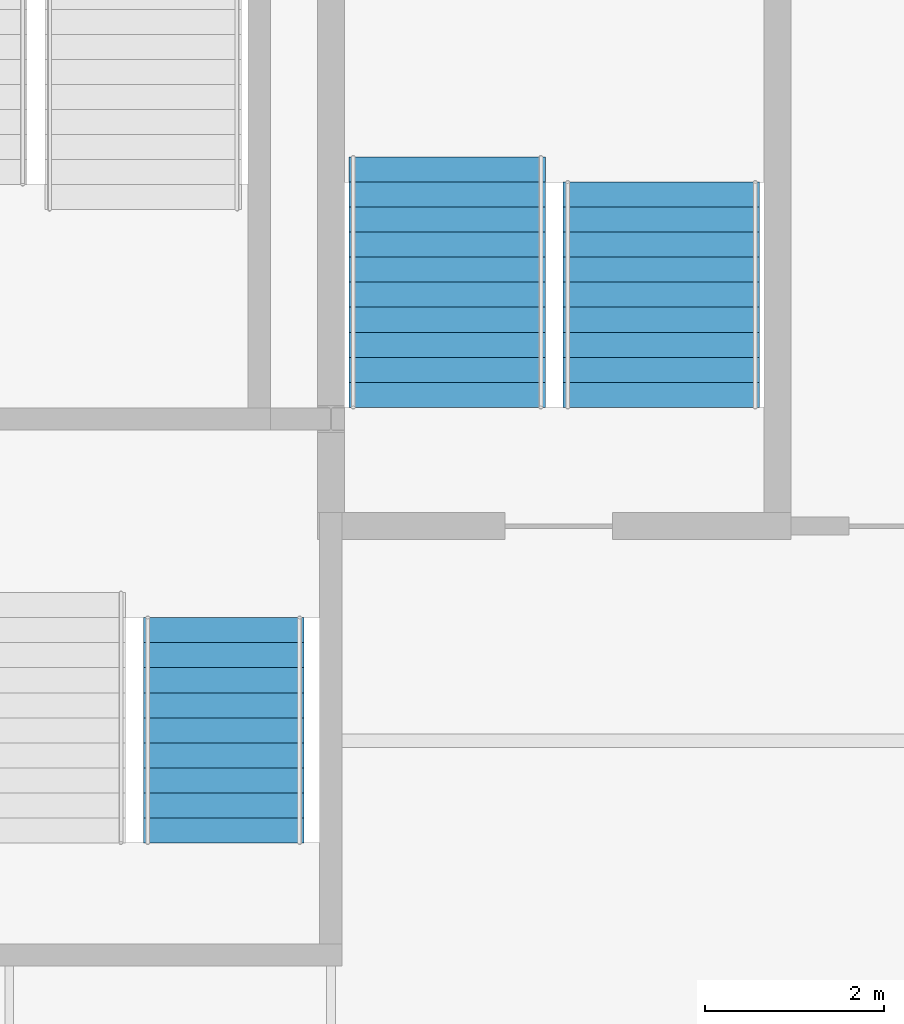
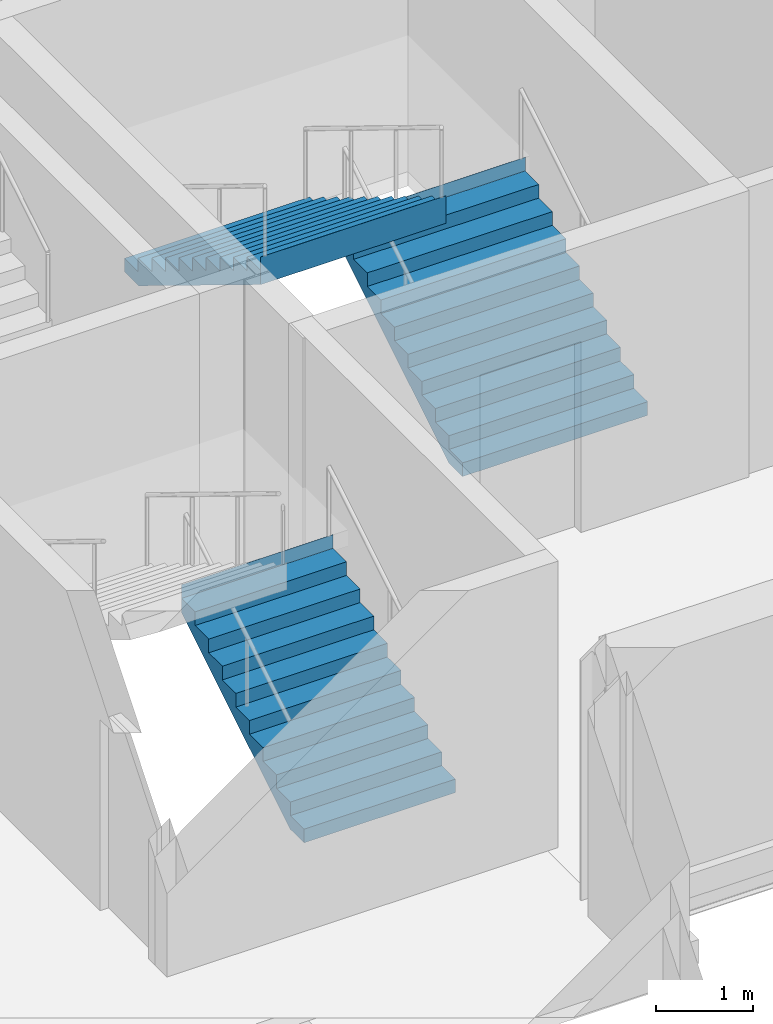
# One storey, part 85 of 124: 3 stair flights, 2 elements without a shape of their own.
"""IFC4 building model written with IfcOpenShell, lengths in metres."""

from ifc_helpers import new_model, si_unit, direction, frame, origin, place, context, subcontext, project, spatial, polyline, outline, extrude, material, type_object, element, aggregate, save


model = new_model("IFC4")

# Units and contexts
model_context = context("Model", 3, precision=1e-05, world=origin(), true_north=direction((0.0, 1.0)))
body_context = subcontext(model_context, "Body", "Model", "MODEL_VIEW")
ifc_project = project(units=[si_unit("LENGTHUNIT", "METRE"), si_unit("AREAUNIT", "SQUARE_METRE"), si_unit("VOLUMEUNIT", "CUBIC_METRE"), si_unit("PLANEANGLEUNIT", "RADIAN"), si_unit("MASSUNIT", "GRAM", prefix="KILO")], contexts=[model_context])

# Site, building, storey
site_placement = place(None, origin())
site = spatial("IfcSite", under=ifc_project, at=site_placement, CompositionType="ELEMENT")
building_placement = place(site_placement, origin())
building = spatial("IfcBuilding", under=site, at=building_placement, Name="Kupolbacken Congress Centre", CompositionType="ELEMENT")
storey_placement = place(building_placement, frame((0.0, 0.0, 10.800048828125)))
storey = spatial("IfcBuildingStorey", under=building, at=storey_placement, Name="L03", CompositionType="ELEMENT", Elevation=10.800048828125)

# Stair, stair flights
ifc_material_1 = material(Name="Concrete C30/37", Category="concrete")
stair_type_1 = type_object("IfcStairType", Name="ST13 stair 2200", PredefinedType="TWO_STRAIGHT_RUN_STAIR", material=ifc_material_1)
stair_1_placement = place(storey_placement, origin())
stair_1 = element("IfcStair", 1, at=stair_1_placement, inside=storey, type_object=stair_type_1, Name="C/stair/LS1/L03", PredefinedType="NOTDEFINED")
ifc_material_2 = material(Name="Concrete C30/37", Category="concrete")
stair_flight_type_1 = type_object("IfcStairFlightType", Name="FL13 stair flight 2200 x 10 risers", PredefinedType="STRAIGHT", material=ifc_material_2)
stair_flight_1_placement = place(storey_placement, frame((82.89990234375, 50.530029296875, 0.0), z_axis=(0.0, 0.0, 1.0), x_axis=(0.0, 1.0, 0.0)))
stair_flight_1 = element("IfcStairFlight", 2, at=stair_flight_1_placement, type_object=stair_flight_type_1, Name="LS1 flight 1", NumberOfRisers=10, NumberOfTreads=9, PredefinedType="STRAIGHT", RiserHeight=0.171428571, TreadLength=0.28, context=body_context, shape_type="SweptSolid", body=[
    extrude(outline(polyline([(0.0, 0.0), (0.0, 0.0009765625), (0.0, 0.002197265625), (0.0, 0.003173828125), (0.0, 0.004150390625), (0.0, 0.00537109375), (0.0, 0.00634765625), (0.0, 0.007568359375), (0.0, 0.008544921875), (0.0, 0.009521484375), (0.0, 0.0107421875), (0.0, 0.01171875), (0.0, 0.0126953125), (0.0, 0.013916015625), (0.0, 0.014892578125), (0.0, 0.015869140625), (0.0, 0.01708984375), (0.0, 0.01806640625), (0.0, 0.019287109375), (0.0, 0.020263671875), (0.0, 0.021240234375), (0.0, 0.0224609375), (0.0, 0.0234375), (0.0, 0.0244140625), (0.0, 0.025634765625), (0.0, 0.026611328125), (0.0, 0.027587890625), (0.0, 0.02880859375), (0.0, 0.02978515625), (0.0, 0.03076171875), (0.0, 0.031982421875), (0.0, 0.032958984375), (0.0, 0.0341796875), (0.0, 0.03515625), (0.0, 0.0361328125), (0.0, 0.037353515625), (0.0, 0.038330078125), (0.0, 0.039306640625), (0.0, 0.04052734375), (0.0, 0.04150390625), (0.0, 0.04248046875), (0.0, 0.043701171875), (0.0, 0.044677734375), (0.0, 0.0458984375), (0.0, 0.046875), (0.0, 0.0478515625), (0.0, 0.049072265625), (0.0, 0.050048828125), (0.0, 0.051025390625), (0.0, 0.05224609375), (0.0, 0.05322265625), (0.0, 0.05419921875), (0.0, 0.055419921875), (0.0, 0.056396484375), (0.0, 0.0576171875), (0.0, 0.05859375), (0.0, 0.0595703125), (0.0, 0.060791015625), (0.0, 0.061767578125), (0.0, 0.062744140625), (0.0, 0.06396484375), (0.0, 0.06494140625), (0.0, 0.06591796875), (0.0, 0.067138671875), (0.0, 0.068115234375), (0.0, 0.069091796875), (0.0, 0.0703125), (0.0, 0.0712890625), (0.0, 0.072509765625), (0.0, 0.073486328125), (0.0, 0.074462890625), (0.0, 0.07568359375), (0.0, 0.07666015625), (0.0, 0.07763671875), (0.0, 0.078857421875), (0.0, 0.079833984375), (0.0, 0.080810546875), (0.0, 0.08203125), (0.0, 0.0830078125), (0.0, 0.084228515625), (0.0, 0.085205078125), (0.0, 0.086181640625), (0.0, 0.08740234375), (0.0, 0.08837890625), (0.0, 0.08935546875), (0.0, 0.090576171875), (0.0, 0.091552734375), (0.0, 0.092529296875), (0.0, 0.09375), (0.0, 0.0947265625), (0.0, 0.095947265625), (0.0, 0.096923828125), (0.0, 0.097900390625), (0.0, 0.09912109375), (0.0, 0.10009765625), (0.0, 0.10107421875), (0.0, 0.102294921875), (0.0, 0.103271484375), (0.0, 0.104248046875), (0.0, 0.10546875), (0.0, 0.1064453125), (0.0, 0.107421875), (0.0, 0.108642578125), (0.0, 0.109619140625), (0.0, 0.11083984375), (0.0, 0.11181640625), (0.0, 0.11279296875), (0.0, 0.114013671875), (0.0, 0.114990234375), (0.0, 0.115966796875), (0.0, 0.1171875), (0.0, 0.1181640625), (0.0, 0.119140625), (0.0, 0.120361328125), (0.0, 0.121337890625), (0.0, 0.12255859375), (0.0, 0.12353515625), (0.0, 0.12451171875), (0.0, 0.125732421875), (0.0, 0.126708984375), (0.0, 0.127685546875), (0.0, 0.12890625), (0.0, 0.1298828125), (0.0, 0.130859375), (0.0, 0.132080078125), (0.0, 0.133056640625), (0.0, 0.13427734375), (0.0, 0.13525390625), (0.0, 0.13623046875), (0.0, 0.137451171875), (0.0, 0.138427734375), (0.0, 0.139404296875), (0.0, 0.140625), (0.0, 0.1416015625), (0.0, 0.142578125), (0.0, 0.143798828125), (0.0, 0.144775390625), (0.0, 0.145751953125), (0.0, 0.14697265625), (0.0, 0.14794921875), (0.0, 0.149169921875), (0.0, 0.150146484375), (0.0, 0.151123046875), (0.0, 0.15234375), (0.0, 0.1533203125), (0.0, 0.154296875), (0.0, 0.155517578125), (0.0, 0.156494140625), (0.0, 0.157470703125), (0.0, 0.15869140625), (0.0, 0.15966796875), (0.0, 0.160888671875), (0.0, 0.161865234375), (0.0, 0.162841796875), (0.0, 0.1640625), (0.0, 0.1650390625), (0.0, 0.166015625), (0.0, 0.167236328125), (0.0, 0.168212890625), (0.0, 0.169189453125), (0.0, 0.17041015625), (0.0, 0.17138671875), (0.280029296875, 0.17138671875), (0.280029296875, 0.3427734375), (0.56005859375, 0.3427734375), (0.56005859375, 0.514404296875), (0.840087890625, 0.514404296875), (0.840087890625, 0.685791015625), (1.1201171875, 0.685791015625), (1.1201171875, 0.857177734375), (1.39990234375, 0.857177734375), (1.39990234375, 1.028564453125), (1.679931640625, 1.028564453125), (1.679931640625, 1.199951171875), (1.9599609375, 1.199951171875), (1.9599609375, 1.371337890625), (2.239990234375, 1.371337890625), (2.239990234375, 1.54296875), (2.52001953125, 1.54296875), (2.52001953125, 1.71435546875), (2.52197265625, 1.71435546875), (2.52197265625, 1.712158203125), (2.52197265625, 1.7099609375), (2.52197265625, 1.707763671875), (2.52197265625, 1.70556640625), (2.52197265625, 1.70361328125), (2.52197265625, 1.701416015625), (2.52197265625, 1.69921875), (2.52197265625, 1.697021484375), (2.52197265625, 1.69482421875), (2.52197265625, 1.692626953125), (2.52197265625, 1.690673828125), (2.52197265625, 1.6884765625), (2.52197265625, 1.686279296875), (2.52197265625, 1.68408203125), (2.52197265625, 1.681884765625), (2.52197265625, 1.6796875), (2.52197265625, 1.677734375), (2.52197265625, 1.675537109375), (2.52197265625, 1.67333984375), (2.52197265625, 1.671142578125), (2.52197265625, 1.6689453125), (2.52197265625, 1.666748046875), (2.52197265625, 1.664794921875), (2.52197265625, 1.66259765625), (2.52197265625, 1.660400390625), (2.52197265625, 1.658203125), (2.52197265625, 1.656005859375), (2.52197265625, 1.65380859375), (2.52197265625, 1.65185546875), (2.52197265625, 1.649658203125), (2.52197265625, 1.6474609375), (2.52197265625, 1.645263671875), (2.52197265625, 1.64306640625), (2.52197265625, 1.640869140625), (2.52197265625, 1.638916015625), (2.52197265625, 1.63671875), (2.52197265625, 1.634521484375), (2.52197265625, 1.63232421875), (2.52197265625, 1.630126953125), (2.52197265625, 1.6279296875), (2.52197265625, 1.6259765625), (2.52197265625, 1.623779296875), (2.52197265625, 1.62158203125), (2.52197265625, 1.619384765625), (2.52197265625, 1.6171875), (2.52197265625, 1.614990234375), (2.52197265625, 1.613037109375), (2.52197265625, 1.61083984375), (2.52197265625, 1.608642578125), (2.52197265625, 1.6064453125), (2.52197265625, 1.604248046875), (2.52197265625, 1.60205078125), (2.52197265625, 1.60009765625), (2.52197265625, 1.597900390625), (2.52197265625, 1.595703125), (2.52197265625, 1.593505859375), (2.52197265625, 1.59130859375), (2.52197265625, 1.589111328125), (2.52197265625, 1.587158203125), (2.52197265625, 1.5849609375), (2.52197265625, 1.582763671875), (2.52197265625, 1.58056640625), (2.52197265625, 1.578369140625), (2.52197265625, 1.576171875), (2.52197265625, 1.57421875), (2.52197265625, 1.572021484375), (2.52197265625, 1.56982421875), (2.52197265625, 1.567626953125), (2.52197265625, 1.5654296875), (2.52197265625, 1.563232421875), (2.52197265625, 1.561279296875), (2.52197265625, 1.55908203125), (2.52197265625, 1.556884765625), (2.52197265625, 1.5546875), (2.52197265625, 1.552490234375), (2.52197265625, 1.55029296875), (2.52197265625, 1.54833984375), (2.52197265625, 1.546142578125), (2.52197265625, 1.5439453125), (2.52197265625, 1.541748046875), (2.52197265625, 1.53955078125), (2.52197265625, 1.537353515625), (2.52197265625, 1.535400390625), (2.52197265625, 1.533203125), (2.52197265625, 1.531005859375), (2.52197265625, 1.52880859375), (2.52197265625, 1.526611328125), (2.52197265625, 1.5244140625), (2.52197265625, 1.5224609375), (2.52197265625, 1.520263671875), (2.52197265625, 1.51806640625), (2.52197265625, 1.515869140625), (2.52197265625, 1.513671875), (2.52197265625, 1.511474609375), (2.52197265625, 1.509521484375), (2.52197265625, 1.50732421875), (2.52197265625, 1.505126953125), (2.52197265625, 1.5029296875), (2.52197265625, 1.500732421875), (2.52197265625, 1.49853515625), (2.52197265625, 1.49658203125), (2.52197265625, 1.494384765625), (2.52197265625, 1.4921875), (2.52197265625, 1.489990234375), (2.52197265625, 1.48779296875), (2.52197265625, 1.485595703125), (2.52197265625, 1.483642578125), (2.52197265625, 1.4814453125), (2.52197265625, 1.479248046875), (2.52197265625, 1.47705078125), (2.52197265625, 1.474853515625), (2.52197265625, 1.47265625), (2.52197265625, 1.470703125), (2.52197265625, 1.468505859375), (2.52197265625, 1.46630859375), (2.52197265625, 1.464111328125), (2.52197265625, 1.4619140625), (2.52197265625, 1.459716796875), (2.52197265625, 1.457763671875), (2.52197265625, 1.45556640625), (2.52197265625, 1.453369140625), (2.52197265625, 1.451171875), (2.52197265625, 1.448974609375), (2.52197265625, 1.44677734375), (2.52197265625, 1.44482421875), (2.52197265625, 1.442626953125), (2.52197265625, 1.4404296875), (2.52197265625, 1.438232421875), (2.52197265625, 1.43603515625), (2.52197265625, 1.433837890625), (2.52197265625, 1.431884765625), (2.52197265625, 1.4296875), (2.52197265625, 1.427490234375), (2.52197265625, 1.42529296875), (2.52197265625, 1.423095703125), (2.52197265625, 1.4208984375), (2.52197265625, 1.4189453125), (2.52197265625, 1.416748046875), (2.52197265625, 1.41455078125), (2.52197265625, 1.412353515625), (2.52197265625, 1.41015625), (2.52197265625, 1.407958984375), (2.52197265625, 1.406005859375), (2.52197265625, 1.40380859375), (2.52197265625, 1.401611328125), (2.52197265625, 1.3994140625), (2.52197265625, 1.397216796875), (2.52197265625, 1.39501953125), (2.52197265625, 1.39306640625), (2.52197265625, 1.390869140625), (2.52197265625, 1.388671875), (2.52197265625, 1.386474609375), (2.52197265625, 1.38427734375), (2.52197265625, 1.382080078125), (2.52197265625, 1.380126953125), (2.52197265625, 1.3779296875), (2.52197265625, 1.375732421875), (2.52197265625, 1.37353515625), (2.52197265625, 1.371337890625), (2.52197265625, 1.369140625), (2.52197265625, 1.3671875), (0.2890625, 0.0), (0.0, 0.0)])), frame((0.0, 1.10009765625, 0.0), z_axis=(0.0, -1.0, 0.0), x_axis=(1.0, 0.0, 0.0)), (0.0, 0.0, 1.0), 2.199951171875),
])
ifc_material_3 = material(Name="Concrete C30/37", Category="concrete")
stair_flight_type_2 = type_object("IfcStairFlightType", Name="FL14 stair flight 2200 x 11 risers", PredefinedType="STRAIGHT", material=ifc_material_3)
stair_flight_2_placement = place(storey_placement, frame((80.5, 53.330078125, 1.71435546875), z_axis=(0.0, 0.0, 1.0), x_axis=(0.0, -1.0, 0.0)))
stair_flight_2 = element("IfcStairFlight", 3, at=stair_flight_2_placement, type_object=stair_flight_type_2, Name="LS1 flight 2", NumberOfRisers=11, NumberOfTreads=10, PredefinedType="STRAIGHT", RiserHeight=0.171428571, TreadLength=0.28, context=body_context, shape_type="SweptSolid", body=[
    extrude(outline(polyline([(0.0, 0.0), (0.0, 0.0009765625), (0.0, 0.002197265625), (0.0, 0.003173828125), (0.0, 0.004150390625), (0.0, 0.00537109375), (0.0, 0.00634765625), (0.0, 0.007568359375), (0.0, 0.008544921875), (0.0, 0.009521484375), (0.0, 0.0107421875), (0.0, 0.01171875), (0.0, 0.0126953125), (0.0, 0.013916015625), (0.0, 0.014892578125), (0.0, 0.015869140625), (0.0, 0.01708984375), (0.0, 0.01806640625), (0.0, 0.019287109375), (0.0, 0.020263671875), (0.0, 0.021240234375), (0.0, 0.0224609375), (0.0, 0.0234375), (0.0, 0.0244140625), (0.0, 0.025634765625), (0.0, 0.026611328125), (0.0, 0.027587890625), (0.0, 0.02880859375), (0.0, 0.02978515625), (0.0, 0.03076171875), (0.0, 0.031982421875), (0.0, 0.032958984375), (0.0, 0.0341796875), (0.0, 0.03515625), (0.0, 0.0361328125), (0.0, 0.037353515625), (0.0, 0.038330078125), (0.0, 0.039306640625), (0.0, 0.04052734375), (0.0, 0.04150390625), (0.0, 0.04248046875), (0.0, 0.043701171875), (0.0, 0.044677734375), (0.0, 0.0458984375), (0.0, 0.046875), (0.0, 0.0478515625), (0.0, 0.049072265625), (0.0, 0.050048828125), (0.0, 0.051025390625), (0.0, 0.05224609375), (0.0, 0.05322265625), (0.0, 0.05419921875), (0.0, 0.055419921875), (0.0, 0.056396484375), (0.0, 0.0576171875), (0.0, 0.05859375), (0.0, 0.0595703125), (0.0, 0.060791015625), (0.0, 0.061767578125), (0.0, 0.062744140625), (0.0, 0.06396484375), (0.0, 0.06494140625), (0.0, 0.06591796875), (0.0, 0.067138671875), (0.0, 0.068115234375), (0.0, 0.069091796875), (0.0, 0.0703125), (0.0, 0.0712890625), (0.0, 0.072509765625), (0.0, 0.073486328125), (0.0, 0.074462890625), (0.0, 0.07568359375), (0.0, 0.07666015625), (0.0, 0.07763671875), (0.0, 0.078857421875), (0.0, 0.079833984375), (0.0, 0.080810546875), (0.0, 0.08203125), (0.0, 0.0830078125), (0.0, 0.084228515625), (0.0, 0.085205078125), (0.0, 0.086181640625), (0.0, 0.08740234375), (0.0, 0.08837890625), (0.0, 0.08935546875), (0.0, 0.090576171875), (0.0, 0.091552734375), (0.0, 0.092529296875), (0.0, 0.09375), (0.0, 0.0947265625), (0.0, 0.095947265625), (0.0, 0.096923828125), (0.0, 0.097900390625), (0.0, 0.09912109375), (0.0, 0.10009765625), (0.0, 0.10107421875), (0.0, 0.102294921875), (0.0, 0.103271484375), (0.0, 0.104248046875), (0.0, 0.10546875), (0.0, 0.1064453125), (0.0, 0.107421875), (0.0, 0.108642578125), (0.0, 0.109619140625), (0.0, 0.11083984375), (0.0, 0.11181640625), (0.0, 0.11279296875), (0.0, 0.114013671875), (0.0, 0.114990234375), (0.0, 0.115966796875), (0.0, 0.1171875), (0.0, 0.1181640625), (0.0, 0.119140625), (0.0, 0.120361328125), (0.0, 0.121337890625), (0.0, 0.12255859375), (0.0, 0.12353515625), (0.0, 0.12451171875), (0.0, 0.125732421875), (0.0, 0.126708984375), (0.0, 0.127685546875), (0.0, 0.12890625), (0.0, 0.1298828125), (0.0, 0.130859375), (0.0, 0.132080078125), (0.0, 0.133056640625), (0.0, 0.13427734375), (0.0, 0.13525390625), (0.0, 0.13623046875), (0.0, 0.137451171875), (0.0, 0.138427734375), (0.0, 0.139404296875), (0.0, 0.140625), (0.0, 0.1416015625), (0.0, 0.142578125), (0.0, 0.143798828125), (0.0, 0.144775390625), (0.0, 0.145751953125), (0.0, 0.14697265625), (0.0, 0.14794921875), (0.0, 0.149169921875), (0.0, 0.150146484375), (0.0, 0.151123046875), (0.0, 0.15234375), (0.0, 0.1533203125), (0.0, 0.154296875), (0.0, 0.155517578125), (0.0, 0.156494140625), (0.0, 0.157470703125), (0.0, 0.15869140625), (0.0, 0.15966796875), (0.0, 0.160888671875), (0.0, 0.161865234375), (0.0, 0.162841796875), (0.0, 0.1640625), (0.0, 0.1650390625), (0.0, 0.166015625), (0.0, 0.167236328125), (0.0, 0.168212890625), (0.0, 0.169189453125), (0.0, 0.17041015625), (0.0, 0.17138671875), (0.280029296875, 0.17138671875), (0.280029296875, 0.3427734375), (0.56005859375, 0.3427734375), (0.56005859375, 0.514404296875), (0.840087890625, 0.514404296875), (0.840087890625, 0.685791015625), (1.1201171875, 0.685791015625), (1.1201171875, 0.857177734375), (1.39990234375, 0.857177734375), (1.39990234375, 1.028564453125), (1.679931640625, 1.028564453125), (1.679931640625, 1.199951171875), (1.9599609375, 1.199951171875), (1.9599609375, 1.371337890625), (2.239990234375, 1.371337890625), (2.239990234375, 1.54296875), (2.52001953125, 1.54296875), (2.52001953125, 1.71435546875), (2.800048828125, 1.71435546875), (2.800048828125, 1.8857421875), (2.802001953125, 1.8857421875), (2.802001953125, 1.883544921875), (2.802001953125, 1.88134765625), (2.802001953125, 1.879150390625), (2.802001953125, 1.877197265625), (2.802001953125, 1.875), (2.802001953125, 1.872802734375), (2.802001953125, 1.87060546875), (2.802001953125, 1.868408203125), (2.802001953125, 1.8662109375), (2.802001953125, 1.8642578125), (2.802001953125, 1.862060546875), (2.802001953125, 1.85986328125), (2.802001953125, 1.857666015625), (2.802001953125, 1.85546875), (2.802001953125, 1.853271484375), (2.802001953125, 1.851318359375), (2.802001953125, 1.84912109375), (2.802001953125, 1.846923828125), (2.802001953125, 1.8447265625), (2.802001953125, 1.842529296875), (2.802001953125, 1.84033203125), (2.802001953125, 1.83837890625), (2.802001953125, 1.836181640625), (2.802001953125, 1.833984375), (2.802001953125, 1.831787109375), (2.802001953125, 1.82958984375), (2.802001953125, 1.827392578125), (2.802001953125, 1.825439453125), (2.802001953125, 1.8232421875), (2.802001953125, 1.821044921875), (2.802001953125, 1.81884765625), (2.802001953125, 1.816650390625), (2.802001953125, 1.814453125), (2.802001953125, 1.8125), (2.802001953125, 1.810302734375), (2.802001953125, 1.80810546875), (2.802001953125, 1.805908203125), (2.802001953125, 1.8037109375), (2.802001953125, 1.801513671875), (2.802001953125, 1.799560546875), (2.802001953125, 1.79736328125), (2.802001953125, 1.795166015625), (2.802001953125, 1.79296875), (2.802001953125, 1.790771484375), (2.802001953125, 1.78857421875), (2.802001953125, 1.78662109375), (2.802001953125, 1.784423828125), (2.802001953125, 1.7822265625), (2.802001953125, 1.780029296875), (2.802001953125, 1.77783203125), (2.802001953125, 1.775634765625), (2.802001953125, 1.773681640625), (2.802001953125, 1.771484375), (2.802001953125, 1.769287109375), (2.802001953125, 1.76708984375), (2.802001953125, 1.764892578125), (2.802001953125, 1.7626953125), (2.802001953125, 1.7607421875), (2.802001953125, 1.758544921875), (2.802001953125, 1.75634765625), (2.802001953125, 1.754150390625), (2.802001953125, 1.751953125), (2.802001953125, 1.749755859375), (2.802001953125, 1.747802734375), (2.802001953125, 1.74560546875), (2.802001953125, 1.743408203125), (2.802001953125, 1.7412109375), (2.802001953125, 1.739013671875), (2.802001953125, 1.73681640625), (2.802001953125, 1.73486328125), (2.802001953125, 1.732666015625), (2.802001953125, 1.73046875), (2.802001953125, 1.728271484375), (2.802001953125, 1.72607421875), (2.802001953125, 1.723876953125), (2.802001953125, 1.721923828125), (2.802001953125, 1.7197265625), (2.802001953125, 1.717529296875), (2.802001953125, 1.71533203125), (2.802001953125, 1.713134765625), (2.802001953125, 1.7109375), (2.802001953125, 1.708984375), (2.802001953125, 1.706787109375), (2.802001953125, 1.70458984375), (2.802001953125, 1.702392578125), (2.802001953125, 1.7001953125), (2.802001953125, 1.697998046875), (2.802001953125, 1.696044921875), (2.802001953125, 1.69384765625), (2.802001953125, 1.691650390625), (2.802001953125, 1.689453125), (2.802001953125, 1.687255859375), (2.802001953125, 1.68505859375), (2.802001953125, 1.68310546875), (2.802001953125, 1.680908203125), (2.802001953125, 1.6787109375), (2.802001953125, 1.676513671875), (2.802001953125, 1.67431640625), (2.802001953125, 1.672119140625), (2.802001953125, 1.670166015625), (2.802001953125, 1.66796875), (2.802001953125, 1.665771484375), (2.802001953125, 1.66357421875), (2.802001953125, 1.661376953125), (2.802001953125, 1.6591796875), (2.802001953125, 1.6572265625), (2.802001953125, 1.655029296875), (2.802001953125, 1.65283203125), (2.802001953125, 1.650634765625), (2.802001953125, 1.6484375), (2.802001953125, 1.646240234375), (2.802001953125, 1.644287109375), (2.802001953125, 1.64208984375), (2.802001953125, 1.639892578125), (2.802001953125, 1.6376953125), (2.802001953125, 1.635498046875), (2.802001953125, 1.63330078125), (2.802001953125, 1.63134765625), (2.802001953125, 1.629150390625), (2.802001953125, 1.626953125), (2.802001953125, 1.624755859375), (2.802001953125, 1.62255859375), (2.802001953125, 1.620361328125), (2.802001953125, 1.618408203125), (2.802001953125, 1.6162109375), (2.802001953125, 1.614013671875), (2.802001953125, 1.61181640625), (2.802001953125, 1.609619140625), (2.802001953125, 1.607421875), (2.802001953125, 1.60546875), (2.802001953125, 1.603271484375), (2.802001953125, 1.60107421875), (2.802001953125, 1.598876953125), (2.802001953125, 1.5966796875), (2.802001953125, 1.594482421875), (2.802001953125, 1.592529296875), (2.802001953125, 1.59033203125), (2.802001953125, 1.588134765625), (2.802001953125, 1.5859375), (2.802001953125, 1.583740234375), (2.802001953125, 1.58154296875), (2.802001953125, 1.57958984375), (2.802001953125, 1.577392578125), (2.802001953125, 1.5751953125), (2.802001953125, 1.572998046875), (2.802001953125, 1.57080078125), (2.802001953125, 1.568603515625), (2.802001953125, 1.566650390625), (2.802001953125, 1.564453125), (2.802001953125, 1.562255859375), (2.802001953125, 1.56005859375), (2.802001953125, 1.557861328125), (2.802001953125, 1.5556640625), (2.802001953125, 1.5537109375), (2.802001953125, 1.551513671875), (2.802001953125, 1.54931640625), (2.802001953125, 1.547119140625), (2.802001953125, 1.544921875), (2.802001953125, 1.542724609375), (2.802001953125, 1.540771484375), (2.802001953125, 1.53857421875), (0.2890625, 0.0), (0.0, 0.0)])), frame((0.0, 1.10009765625, 0.0), z_axis=(0.0, -1.0, 0.0), x_axis=(1.0, 0.0, 0.0)), (0.0, 0.0, 1.0), 2.199951171875),
])
aggregate(stair_1, [stair_flight_1, stair_flight_2])

# Stair, stair flight
ifc_material_4 = material(Name="Steel S355", Category="steel")
stair_type_2 = type_object("IfcStairType", Name="ST3 stair 1800", PredefinedType="TWO_STRAIGHT_RUN_STAIR", material=ifc_material_4)
stair_2_placement = place(storey_placement, origin())
stair_2 = element("IfcStair", 4, at=stair_2_placement, inside=storey, type_object=stair_type_2, Name="C/stair/FS2E/L03", PredefinedType="NOTDEFINED")
ifc_material_5 = material(Name="Steel S355", Category="steel")
stair_flight_type_3 = type_object("IfcStairFlightType", Name="FL5 stair flight 1800 x 10 risers", PredefinedType="STRAIGHT", material=ifc_material_5)
stair_flight_3_placement = place(storey_placement, frame((78.0, 45.655029296875, 0.0), z_axis=(0.0, 0.0, 1.0), x_axis=(0.0, 1.0, 0.0)))
stair_flight_3 = element("IfcStairFlight", 5, at=stair_flight_3_placement, type_object=stair_flight_type_3, Name="FS2E flight 1", NumberOfRisers=10, NumberOfTreads=9, PredefinedType="STRAIGHT", RiserHeight=0.171428571, TreadLength=0.28, context=body_context, shape_type="SweptSolid", body=[
    extrude(outline(polyline([(0.0, 0.0), (0.0, 0.0009765625), (0.0, 0.002197265625), (0.0, 0.003173828125), (0.0, 0.004150390625), (0.0, 0.00537109375), (0.0, 0.00634765625), (0.0, 0.007568359375), (0.0, 0.008544921875), (0.0, 0.009521484375), (0.0, 0.0107421875), (0.0, 0.01171875), (0.0, 0.0126953125), (0.0, 0.013916015625), (0.0, 0.014892578125), (0.0, 0.015869140625), (0.0, 0.01708984375), (0.0, 0.01806640625), (0.0, 0.019287109375), (0.0, 0.020263671875), (0.0, 0.021240234375), (0.0, 0.0224609375), (0.0, 0.0234375), (0.0, 0.0244140625), (0.0, 0.025634765625), (0.0, 0.026611328125), (0.0, 0.027587890625), (0.0, 0.02880859375), (0.0, 0.02978515625), (0.0, 0.03076171875), (0.0, 0.031982421875), (0.0, 0.032958984375), (0.0, 0.0341796875), (0.0, 0.03515625), (0.0, 0.0361328125), (0.0, 0.037353515625), (0.0, 0.038330078125), (0.0, 0.039306640625), (0.0, 0.04052734375), (0.0, 0.04150390625), (0.0, 0.04248046875), (0.0, 0.043701171875), (0.0, 0.044677734375), (0.0, 0.0458984375), (0.0, 0.046875), (0.0, 0.0478515625), (0.0, 0.049072265625), (0.0, 0.050048828125), (0.0, 0.051025390625), (0.0, 0.05224609375), (0.0, 0.05322265625), (0.0, 0.05419921875), (0.0, 0.055419921875), (0.0, 0.056396484375), (0.0, 0.0576171875), (0.0, 0.05859375), (0.0, 0.0595703125), (0.0, 0.060791015625), (0.0, 0.061767578125), (0.0, 0.062744140625), (0.0, 0.06396484375), (0.0, 0.06494140625), (0.0, 0.06591796875), (0.0, 0.067138671875), (0.0, 0.068115234375), (0.0, 0.069091796875), (0.0, 0.0703125), (0.0, 0.0712890625), (0.0, 0.072509765625), (0.0, 0.073486328125), (0.0, 0.074462890625), (0.0, 0.07568359375), (0.0, 0.07666015625), (0.0, 0.07763671875), (0.0, 0.078857421875), (0.0, 0.079833984375), (0.0, 0.080810546875), (0.0, 0.08203125), (0.0, 0.0830078125), (0.0, 0.084228515625), (0.0, 0.085205078125), (0.0, 0.086181640625), (0.0, 0.08740234375), (0.0, 0.08837890625), (0.0, 0.08935546875), (0.0, 0.090576171875), (0.0, 0.091552734375), (0.0, 0.092529296875), (0.0, 0.09375), (0.0, 0.0947265625), (0.0, 0.095947265625), (0.0, 0.096923828125), (0.0, 0.097900390625), (0.0, 0.09912109375), (0.0, 0.10009765625), (0.0, 0.10107421875), (0.0, 0.102294921875), (0.0, 0.103271484375), (0.0, 0.104248046875), (0.0, 0.10546875), (0.0, 0.1064453125), (0.0, 0.107421875), (0.0, 0.108642578125), (0.0, 0.109619140625), (0.0, 0.11083984375), (0.0, 0.11181640625), (0.0, 0.11279296875), (0.0, 0.114013671875), (0.0, 0.114990234375), (0.0, 0.115966796875), (0.0, 0.1171875), (0.0, 0.1181640625), (0.0, 0.119140625), (0.0, 0.120361328125), (0.0, 0.121337890625), (0.0, 0.12255859375), (0.0, 0.12353515625), (0.0, 0.12451171875), (0.0, 0.125732421875), (0.0, 0.126708984375), (0.0, 0.127685546875), (0.0, 0.12890625), (0.0, 0.1298828125), (0.0, 0.130859375), (0.0, 0.132080078125), (0.0, 0.133056640625), (0.0, 0.13427734375), (0.0, 0.13525390625), (0.0, 0.13623046875), (0.0, 0.137451171875), (0.0, 0.138427734375), (0.0, 0.139404296875), (0.0, 0.140625), (0.0, 0.1416015625), (0.0, 0.142578125), (0.0, 0.143798828125), (0.0, 0.144775390625), (0.0, 0.145751953125), (0.0, 0.14697265625), (0.0, 0.14794921875), (0.0, 0.149169921875), (0.0, 0.150146484375), (0.0, 0.151123046875), (0.0, 0.15234375), (0.0, 0.1533203125), (0.0, 0.154296875), (0.0, 0.155517578125), (0.0, 0.156494140625), (0.0, 0.157470703125), (0.0, 0.15869140625), (0.0, 0.15966796875), (0.0, 0.160888671875), (0.0, 0.161865234375), (0.0, 0.162841796875), (0.0, 0.1640625), (0.0, 0.1650390625), (0.0, 0.166015625), (0.0, 0.167236328125), (0.0, 0.168212890625), (0.0, 0.169189453125), (0.0, 0.17041015625), (0.0, 0.17138671875), (0.280029296875, 0.17138671875), (0.280029296875, 0.3427734375), (0.56005859375, 0.3427734375), (0.56005859375, 0.514404296875), (0.840087890625, 0.514404296875), (0.840087890625, 0.685791015625), (1.1201171875, 0.685791015625), (1.1201171875, 0.857177734375), (1.39990234375, 0.857177734375), (1.39990234375, 1.028564453125), (1.679931640625, 1.028564453125), (1.679931640625, 1.199951171875), (1.9599609375, 1.199951171875), (1.9599609375, 1.371337890625), (2.239990234375, 1.371337890625), (2.239990234375, 1.54296875), (2.52001953125, 1.54296875), (2.52001953125, 1.71435546875), (2.52197265625, 1.71435546875), (2.52197265625, 1.712158203125), (2.52197265625, 1.7099609375), (2.52197265625, 1.707763671875), (2.52197265625, 1.70556640625), (2.52197265625, 1.70361328125), (2.52197265625, 1.701416015625), (2.52197265625, 1.69921875), (2.52197265625, 1.697021484375), (2.52197265625, 1.69482421875), (2.52197265625, 1.692626953125), (2.52197265625, 1.690673828125), (2.52197265625, 1.6884765625), (2.52197265625, 1.686279296875), (2.52197265625, 1.68408203125), (2.52197265625, 1.681884765625), (2.52197265625, 1.6796875), (2.52197265625, 1.677734375), (2.52197265625, 1.675537109375), (2.52197265625, 1.67333984375), (2.52197265625, 1.671142578125), (2.52197265625, 1.6689453125), (2.52197265625, 1.666748046875), (2.52197265625, 1.664794921875), (2.52197265625, 1.66259765625), (2.52197265625, 1.660400390625), (2.52197265625, 1.658203125), (2.52197265625, 1.656005859375), (2.52197265625, 1.65380859375), (2.52197265625, 1.65185546875), (2.52197265625, 1.649658203125), (2.52197265625, 1.6474609375), (2.52197265625, 1.645263671875), (2.52197265625, 1.64306640625), (2.52197265625, 1.640869140625), (2.52197265625, 1.638916015625), (2.52197265625, 1.63671875), (2.52197265625, 1.634521484375), (2.52197265625, 1.63232421875), (2.52197265625, 1.630126953125), (2.52197265625, 1.6279296875), (2.52197265625, 1.6259765625), (2.52197265625, 1.623779296875), (2.52197265625, 1.62158203125), (2.52197265625, 1.619384765625), (2.52197265625, 1.6171875), (2.52197265625, 1.614990234375), (2.52197265625, 1.613037109375), (2.52197265625, 1.61083984375), (2.52197265625, 1.608642578125), (2.52197265625, 1.6064453125), (2.52197265625, 1.604248046875), (2.52197265625, 1.60205078125), (2.52197265625, 1.60009765625), (2.52197265625, 1.597900390625), (2.52197265625, 1.595703125), (2.52197265625, 1.593505859375), (2.52197265625, 1.59130859375), (2.52197265625, 1.589111328125), (2.52197265625, 1.587158203125), (2.52197265625, 1.5849609375), (2.52197265625, 1.582763671875), (2.52197265625, 1.58056640625), (2.52197265625, 1.578369140625), (2.52197265625, 1.576171875), (2.52197265625, 1.57421875), (2.52197265625, 1.572021484375), (2.52197265625, 1.56982421875), (2.52197265625, 1.567626953125), (2.52197265625, 1.5654296875), (2.52197265625, 1.563232421875), (2.52197265625, 1.561279296875), (2.52197265625, 1.55908203125), (2.52197265625, 1.556884765625), (2.52197265625, 1.5546875), (2.52197265625, 1.552490234375), (2.52197265625, 1.55029296875), (2.52197265625, 1.54833984375), (2.52197265625, 1.546142578125), (2.52197265625, 1.5439453125), (2.52197265625, 1.541748046875), (2.52197265625, 1.53955078125), (2.52197265625, 1.537353515625), (2.52197265625, 1.535400390625), (2.52197265625, 1.533203125), (2.52197265625, 1.531005859375), (2.52197265625, 1.52880859375), (2.52197265625, 1.526611328125), (2.52197265625, 1.5244140625), (2.52197265625, 1.5224609375), (2.52197265625, 1.520263671875), (2.52197265625, 1.51806640625), (2.52197265625, 1.515869140625), (2.52197265625, 1.513671875), (2.52197265625, 1.511474609375), (2.52197265625, 1.509521484375), (2.52197265625, 1.50732421875), (2.52197265625, 1.505126953125), (2.52197265625, 1.5029296875), (2.52197265625, 1.500732421875), (2.52197265625, 1.49853515625), (2.52197265625, 1.49658203125), (2.52197265625, 1.494384765625), (2.52197265625, 1.4921875), (2.52197265625, 1.489990234375), (2.52197265625, 1.48779296875), (2.52197265625, 1.485595703125), (2.52197265625, 1.483642578125), (2.52197265625, 1.4814453125), (2.52197265625, 1.479248046875), (2.52197265625, 1.47705078125), (2.52197265625, 1.474853515625), (2.52197265625, 1.47265625), (2.52197265625, 1.470703125), (2.52197265625, 1.468505859375), (2.52197265625, 1.46630859375), (2.52197265625, 1.464111328125), (2.52197265625, 1.4619140625), (2.52197265625, 1.459716796875), (2.52197265625, 1.457763671875), (2.52197265625, 1.45556640625), (2.52197265625, 1.453369140625), (2.52197265625, 1.451171875), (2.52197265625, 1.448974609375), (2.52197265625, 1.44677734375), (2.52197265625, 1.44482421875), (2.52197265625, 1.442626953125), (2.52197265625, 1.4404296875), (2.52197265625, 1.438232421875), (2.52197265625, 1.43603515625), (2.52197265625, 1.433837890625), (2.52197265625, 1.431884765625), (2.52197265625, 1.4296875), (2.52197265625, 1.427490234375), (2.52197265625, 1.42529296875), (2.52197265625, 1.423095703125), (2.52197265625, 1.4208984375), (2.52197265625, 1.4189453125), (2.52197265625, 1.416748046875), (2.52197265625, 1.41455078125), (2.52197265625, 1.412353515625), (2.52197265625, 1.41015625), (2.52197265625, 1.407958984375), (2.52197265625, 1.406005859375), (2.52197265625, 1.40380859375), (2.52197265625, 1.401611328125), (2.52197265625, 1.3994140625), (2.52197265625, 1.397216796875), (2.52197265625, 1.39501953125), (2.52197265625, 1.39306640625), (2.52197265625, 1.390869140625), (2.52197265625, 1.388671875), (2.52197265625, 1.386474609375), (2.52197265625, 1.38427734375), (2.52197265625, 1.382080078125), (2.52197265625, 1.380126953125), (2.52197265625, 1.3779296875), (2.52197265625, 1.375732421875), (2.52197265625, 1.37353515625), (2.52197265625, 1.371337890625), (2.52197265625, 1.369140625), (2.52197265625, 1.3671875), (0.2890625, 0.0), (0.0, 0.0)])), frame((0.0, 0.89990234375, 0.0), z_axis=(0.0, -1.0, 0.0), x_axis=(1.0, 0.0, 0.0)), (0.0, 0.0, 1.0), 1.800048828125),
])
aggregate(stair_2, [stair_flight_3])

save(model, "model.ifc")
